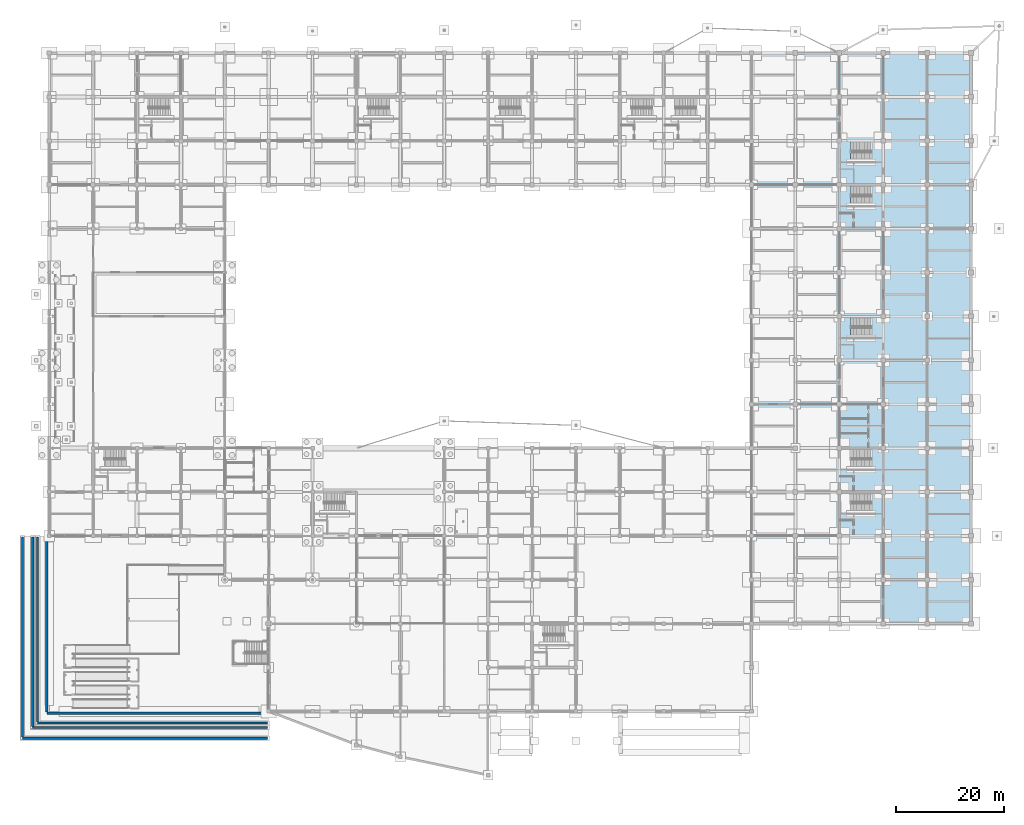
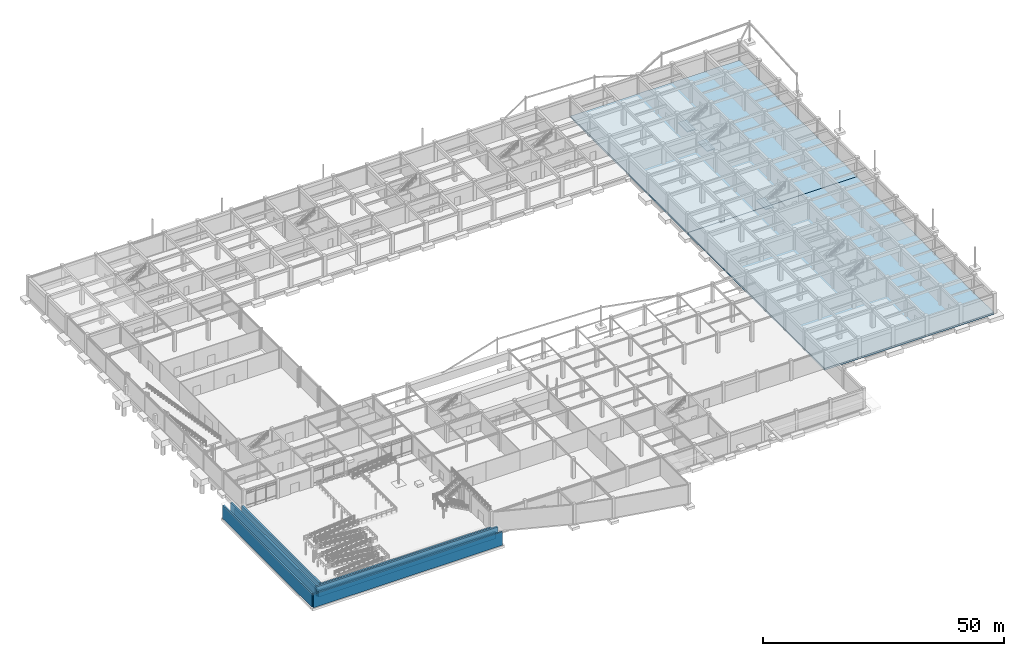
# One storey, part 44 of 67: 8 walls, 5 slabs, 3 elements without a shape of their own.
"""IFC4 building model written with IfcOpenShell, lengths in metres."""

from ifc_helpers import new_model, si_unit, direction, frame, frame_2d, origin, place, context, subcontext, project, spatial, polyline, rectangle, outline, extrude, material, layer, layer_set, type_object, element, aggregate, save


model = new_model("IFC4")

# Units and contexts
model_context = context("Model", 3, precision=1e-05, world=origin(), true_north=direction((0.0, 1.0)))
body_context = subcontext(model_context, "Body", "Model", "MODEL_VIEW")
ifc_project = project(units=[si_unit("LENGTHUNIT", "METRE"), si_unit("AREAUNIT", "SQUARE_METRE"), si_unit("VOLUMEUNIT", "CUBIC_METRE"), si_unit("PLANEANGLEUNIT", "RADIAN"), si_unit("MASSUNIT", "GRAM", prefix="KILO")], contexts=[model_context])

# Site, building, storey
site_placement = place(None, origin())
site = spatial("IfcSite", under=ifc_project, at=site_placement, CompositionType="ELEMENT")
building_placement = place(site_placement, origin())
building = spatial("IfcBuilding", under=site, at=building_placement, Name="Vaudrelin Polytechnic", CompositionType="ELEMENT")
storey_placement = place(building_placement, frame((0.0, 0.0, -5.10009765625)))
storey = spatial("IfcBuildingStorey", under=building, at=storey_placement, Name="B1", CompositionType="ELEMENT", Elevation=-5.10009765625)

# Stair, slab
ifc_material_1 = material(Name="Concrete 35 MPa", Category="concrete")
stair_type = type_object("IfcStairType", Name="STR-ST-CORE", PredefinedType="TWO_STRAIGHT_RUN_STAIR", material=ifc_material_1)
stair_1_placement = place(storey_placement, origin())
stair_1 = element("IfcStair", 1, at=stair_1_placement, inside=storey, type_object=stair_type, Name="Exit stair ST-06-B1", PredefinedType="TWO_STRAIGHT_RUN_STAIR")
ifc_layer_1 = layer(ifc_material_1, 0.219970703125)
ifc_layer_set_1 = layer_set([ifc_layer_1], Name="Concrete 35 MPa")
slab_type_1 = type_object("IfcSlabType", Name="SLB-LND220", PredefinedType="LANDING", material=ifc_layer_set_1)
slab_1_placement = place(storey_placement, frame((0.0, 0.0, 2.330078125)))
slab_1 = element("IfcSlab", 2, at=slab_1_placement, type_object=slab_type_1, Name="ST-06-B1 landing 1", PredefinedType="LANDING", context=body_context, shape_type="SweptSolid", body=[
    extrude(outline(polyline([(145.93994140625, 101.360107421875), (147.909912109375, 101.360107421875), (147.909912109375, 105.199951171875), (145.93994140625, 105.199951171875), (145.93994140625, 101.360107421875)])), origin(), (0.0, 0.0, 1.0), 0.219970703125),
])
aggregate(stair_1, [slab_1])

stair_2_placement = place(storey_placement, origin())
stair_2 = element("IfcStair", 3, at=stair_2_placement, inside=storey, type_object=stair_type, Name="Exit stair ST-07-B1", PredefinedType="TWO_STRAIGHT_RUN_STAIR")
slab_2_placement = place(storey_placement, frame((0.0, 0.0, 2.330078125)))
slab_2 = element("IfcSlab", 4, at=slab_2_placement, type_object=slab_type_1, Name="ST-07-B1 landing 1", PredefinedType="LANDING", context=body_context, shape_type="SweptSolid", body=[
    extrude(outline(polyline([(145.93994140625, 68.9599609375), (147.909912109375, 68.9599609375), (147.909912109375, 72.800048828125), (145.93994140625, 72.800048828125), (145.93994140625, 68.9599609375)])), origin(), (0.0, 0.0, 1.0), 0.219970703125),
])
aggregate(stair_2, [slab_2])

stair_3_placement = place(storey_placement, origin())
stair_3 = element("IfcStair", 5, at=stair_3_placement, inside=storey, type_object=stair_type, Name="Exit stair ST-13-B1", PredefinedType="TWO_STRAIGHT_RUN_STAIR")
slab_3_placement = place(storey_placement, frame((0.0, 0.0, 2.330078125)))
slab_3 = element("IfcSlab", 6, at=slab_3_placement, type_object=slab_type_1, Name="ST-13-B1 landing 1", PredefinedType="LANDING", context=body_context, shape_type="SweptSolid", body=[
    extrude(outline(polyline([(145.93994140625, 93.260009765625), (147.909912109375, 93.260009765625), (147.909912109375, 97.10009765625), (145.93994140625, 97.10009765625), (145.93994140625, 93.260009765625)])), origin(), (0.0, 0.0, 1.0), 0.219970703125),
])
aggregate(stair_3, [slab_3])

# Slabs
ifc_layer_2 = layer(ifc_material_1, 0.449951171875)
ifc_layer_set_2 = layer_set([ifc_layer_2], Name="Concrete 35 MPa")
slab_type_2 = type_object("IfcSlabType", Name="SLB-SL-B450", PredefinedType="BASESLAB", material=ifc_layer_set_2)
slab_4_placement = place(storey_placement, frame((0.0, 0.0, -0.449951171875)))
element("IfcSlab", 7, at=slab_4_placement, inside=storey, type_object=slab_type_2, Name="B1 floor slab B1-V4S", PredefinedType="BASESLAB", context=body_context, shape_type="SweptSolid", body=[
    extrude(outline(polyline([(129.60009765625, 16.199951171875), (170.10009765625, 16.199951171875), (170.10009765625, 72.89990234375), (129.60009765625, 72.89990234375), (129.60009765625, 16.199951171875)])), origin(), (0.0, 0.0, 1.0), 0.449951171875),
])
slab_5_placement = place(storey_placement, frame((0.0, 0.0, -0.449951171875)))
element("IfcSlab", 8, at=slab_5_placement, inside=storey, type_object=slab_type_2, Name="B1 floor slab B1-V4N", PredefinedType="BASESLAB", context=body_context, shape_type="SweptSolid", body=[
    extrude(outline(polyline([(129.60009765625, 72.89990234375), (170.10009765625, 72.89990234375), (170.10009765625, 121.5), (129.60009765625, 121.5), (129.60009765625, 72.89990234375)])), origin(), (0.0, 0.0, 1.0), 0.449951171875),
])

# Walls
ifc_material_2 = material(Name="Concrete 40 MPa", Category="concrete")
ifc_layer_3 = layer(ifc_material_2, 0.39990234375)
ifc_layer_set_3 = layer_set([ifc_layer_3], Name="Concrete 40 MPa")
wall_type = type_object("IfcWallType", Name="WAL-SW-RET400", PredefinedType="SOLIDWALL", material=ifc_layer_set_3)
wall_1_placement = place(storey_placement, frame((-4.949951171875, -4.949951171875, -0.449951171875), z_axis=(0.0, 0.0, 1.0), x_axis=(1.0, 0.0, 0.0)))
element("IfcWall", 9, at=wall_1_placement, inside=storey, type_object=wall_type, Name="Metro amphitheatre riser wall 1.1", PredefinedType="SOLIDWALL", context=body_context, shape_type="SweptSolid", body=[
    extrude(rectangle(XDim=45.199951171875, YDim=0.39990234375, at=frame_2d((22.60009765625, 0.0))), origin(), (0.0, 0.0, 1.0), 3.41015625),
])
wall_2_placement = place(storey_placement, frame((-4.949951171875, -4.75, -0.449951171875), z_axis=(0.0, 0.0, 1.0), x_axis=(0.0, 1.0, 0.0)))
element("IfcWall", 10, at=wall_2_placement, inside=storey, type_object=wall_type, Name="Metro amphitheatre riser wall 1.2", PredefinedType="SOLIDWALL", context=body_context, shape_type="SweptSolid", body=[
    extrude(rectangle(XDim=36.89990234375, YDim=0.39990234375, at=frame_2d((18.449951171875, 0.0))), origin(), (0.0, 0.0, 1.0), 3.41015625),
])
wall_3_placement = place(storey_placement, frame((-3.050048828125, -2.949951171875, -0.449951171875), z_axis=(0.0, 0.0, 1.0), x_axis=(1.0, 0.0, 0.0)))
element("IfcWall", 11, at=wall_3_placement, inside=storey, type_object=wall_type, Name="Metro amphitheatre riser wall 1.3", PredefinedType="SOLIDWALL", context=body_context, shape_type="SweptSolid", body=[
    extrude(rectangle(XDim=43.300048828125, YDim=0.39990234375, at=frame_2d((21.64990234375, 0.0))), origin(), (0.0, 0.0, 1.0), 3.41015625),
])
wall_4_placement = place(storey_placement, frame((-3.050048828125, -2.75, -0.449951171875), z_axis=(0.0, 0.0, 1.0), x_axis=(0.0, 1.0, 0.0)))
element("IfcWall", 12, at=wall_4_placement, inside=storey, type_object=wall_type, Name="Metro amphitheatre riser wall 1.4", PredefinedType="SOLIDWALL", context=body_context, shape_type="SweptSolid", body=[
    extrude(rectangle(XDim=34.89990234375, YDim=0.39990234375, at=frame_2d((17.449951171875, 0.0))), origin(), (0.0, 0.0, 1.0), 3.41015625),
])
wall_5_placement = place(storey_placement, frame((-2.14990234375, -2.14990234375, -0.449951171875), z_axis=(0.0, 0.0, 1.0), x_axis=(1.0, 0.0, 0.0)))
element("IfcWall", 13, at=wall_5_placement, inside=storey, type_object=wall_type, Name="Metro amphitheatre riser wall 2.1", PredefinedType="SOLIDWALL", context=body_context, shape_type="SweptSolid", body=[
    extrude(rectangle(XDim=42.39990234375, YDim=0.39990234375, at=frame_2d((21.199951171875, 0.0))), origin(), (0.0, 0.0, 1.0), 1.7099609375),
])
wall_6_placement = place(storey_placement, frame((-2.14990234375, -1.949951171875, -0.449951171875), z_axis=(0.0, 0.0, 1.0), x_axis=(0.0, 1.0, 0.0)))
element("IfcWall", 14, at=wall_6_placement, inside=storey, type_object=wall_type, Name="Metro amphitheatre riser wall 2.2", PredefinedType="SOLIDWALL", context=body_context, shape_type="SweptSolid", body=[
    extrude(rectangle(XDim=34.099853515625, YDim=0.39990234375, at=frame_2d((17.0498046875, 0.0))), origin(), (0.0, 0.0, 1.0), 1.7099609375),
])
wall_7_placement = place(storey_placement, frame((-0.449951171875, -0.35009765625, -0.449951171875), z_axis=(0.0, 0.0, 1.0), x_axis=(1.0, 0.0, 0.0)))
element("IfcWall", 15, at=wall_7_placement, inside=storey, type_object=wall_type, Name="Metro amphitheatre riser wall 2.3", PredefinedType="SOLIDWALL", context=body_context, shape_type="SweptSolid", body=[
    extrude(rectangle(XDim=40.699951171875, YDim=0.39990234375, at=frame_2d((20.35009765625, 0.0))), origin(), (0.0, 0.0, 1.0), 1.7099609375),
])
wall_8_placement = place(storey_placement, frame((-0.449951171875, -0.14990234375, -0.449951171875), z_axis=(0.0, 0.0, 1.0), x_axis=(0.0, 1.0, 0.0)))
element("IfcWall", 16, at=wall_8_placement, inside=storey, type_object=wall_type, Name="Metro amphitheatre riser wall 2.4", PredefinedType="SOLIDWALL", context=body_context, shape_type="SweptSolid", body=[
    extrude(rectangle(XDim=32.2998046875, YDim=0.39990234375, at=frame_2d((16.14990234375, 0.0))), origin(), (0.0, 0.0, 1.0), 1.7099609375),
])

save(model, "model.ifc")
